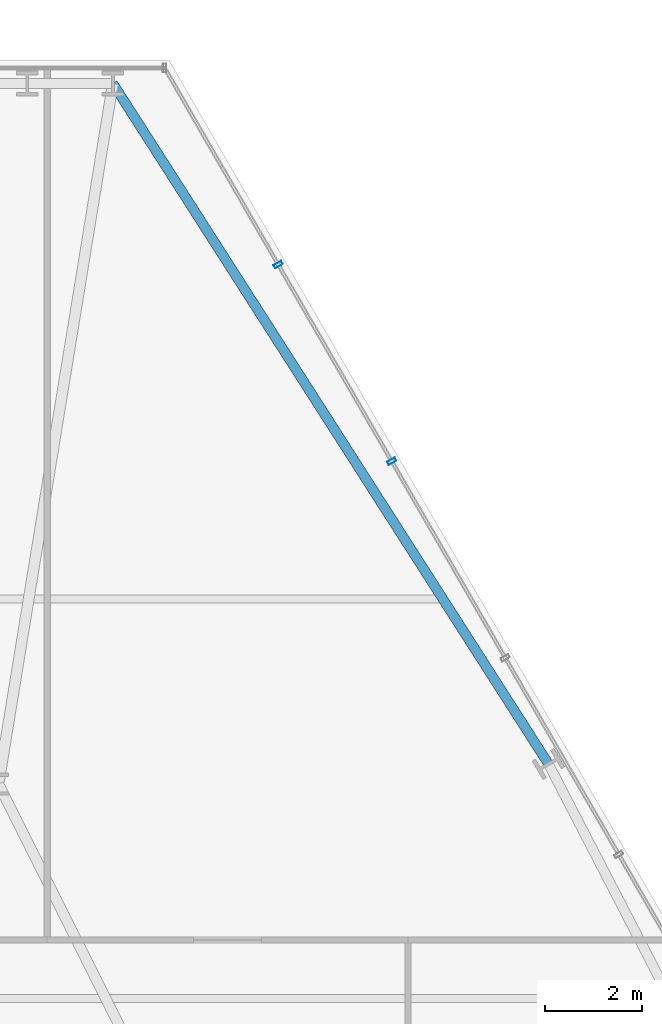
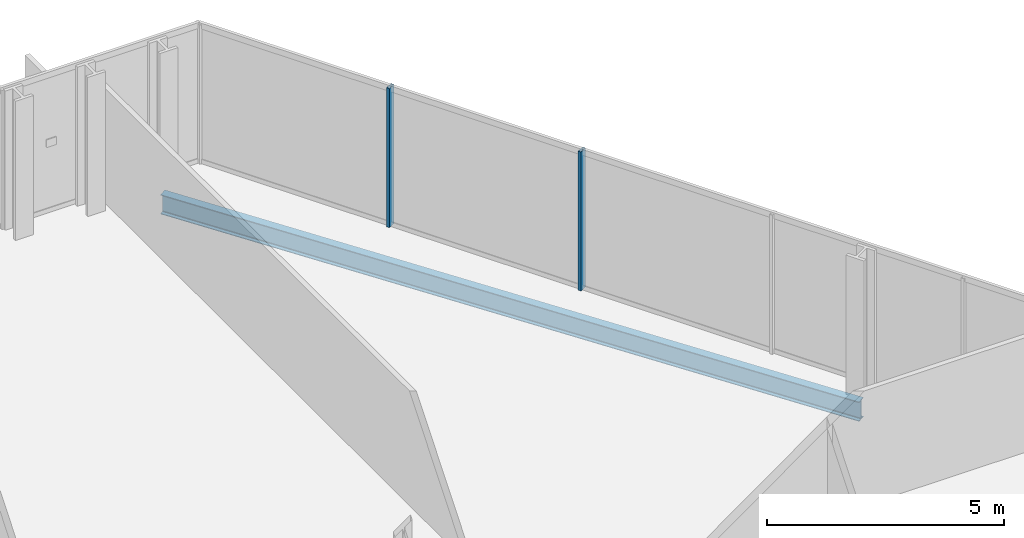
# One storey, part 25 of 33: 2 members, 1 beam, 1 element without a shape of its own.
"""IFC4 building model written with IfcOpenShell, lengths in metres."""

import ifcopenshell
import ifcopenshell.guid

model = None  # the IFC model being written
_history = None  # IfcOwnerHistory: only IFC2X3 demands one
_inside = {}  # id of a spatial element -> (the spatial element, [elements in it])
_under = {}  # id of a project, library or spatial element -> (it, [spatial elements below it])
_declared = {}  # id of a project -> (the project, [libraries it declares])
_typed = {}  # id of a type object -> (the type object, [elements of that type])
_made_of = {}  # id of a material, layer set ... -> (it, [elements and type objects made of it])


def new_model(schema):
    """Start an empty IFC model of exactly this schema.

    Asked for "IFC4X3", IfcOpenShell would pick the latest addendum, in which some entities
    have other attributes; the version numbers below select the first issue.
    IFC2X3 requires an IfcOwnerHistory on every rooted entity: one is made here for all.
    """
    global model, _history
    if schema == "IFC4X3":
        model = ifcopenshell.file(schema_version=(4, 3, 0, 0))
    else:
        model = ifcopenshell.file(schema=schema)
    _inside.clear()
    _under.clear()
    _declared.clear()
    _typed.clear()
    _made_of.clear()
    _history = None
    if model.schema == "IFC2X3":
        org = make("IfcOrganization", Name="unknown")
        user = make(
            "IfcPersonAndOrganization",
            ThePerson=make("IfcPerson", FamilyName="unknown"),
            TheOrganization=org,
        )
        app = make(
            "IfcApplication",
            ApplicationDeveloper=org,
            Version="unknown",
            ApplicationFullName="unknown",
            ApplicationIdentifier="unknown",
        )
        _history = make(
            "IfcOwnerHistory",
            OwningUser=user,
            OwningApplication=app,
            ChangeAction="ADDED",
            CreationDate=0,
        )
    return model


def make(cls, **values):
    """One entity of the class cls with the attributes given. An attribute that is None is left unset."""
    return model.create_entity(
        cls, **{name: value for name, value in values.items() if value is not None}
    )


def rooted(cls, **values):
    """An entity with a GlobalId (a new one), such as an element, a storey or a relation."""
    return make(cls, GlobalId=ifcopenshell.guid.new(), OwnerHistory=_history, **values)


def si_unit(unit_type, name, prefix=None):
    """IfcSIUnit, for example si_unit("LENGTHUNIT", "METRE", prefix="MILLI")."""
    return make("IfcSIUnit", UnitType=unit_type, Prefix=prefix, Name=name)


def assignment(units):
    """IfcUnitAssignment: the units of a project."""
    return None if units is None else make("IfcUnitAssignment", Units=units)


def point(xyz):
    """IfcCartesianPoint."""
    return None if xyz is None else make("IfcCartesianPoint", Coordinates=xyz)


def direction(xyz):
    """IfcDirection."""
    return None if xyz is None else make("IfcDirection", DirectionRatios=xyz)


def frame(location, z_axis=None, x_axis=None):
    """IfcAxis2Placement3D, a coordinate frame: its origin and axes. An axis left out is left unset."""
    return make(
        "IfcAxis2Placement3D",
        Location=point(location),
        Axis=direction(z_axis),
        RefDirection=direction(x_axis),
    )


def frame_2d(location, x_axis=None):
    """IfcAxis2Placement2D, a coordinate frame in the plane: its origin and x axis."""
    return make(
        "IfcAxis2Placement2D", Location=point(location), RefDirection=direction(x_axis)
    )


def origin():
    """The frame at (0, 0, 0) with its axes left unset."""
    return frame((0.0, 0.0, 0.0))


def origin_2d():
    """The frame at (0, 0) in the plane with its x axis left unset."""
    return frame_2d((0.0, 0.0))


def place(relative_to, where):
    """IfcLocalPlacement: puts the frame where relative to a parent placement (None: the world)."""
    return make(
        "IfcLocalPlacement", PlacementRelTo=relative_to, RelativePlacement=where
    )


def context(
    kind, dimensions, precision=None, world=None, true_north=None, identifier=None
):
    """IfcGeometricRepresentationContext, for example the 3D "Model" context."""
    return make(
        "IfcGeometricRepresentationContext",
        ContextIdentifier=identifier,
        ContextType=kind,
        CoordinateSpaceDimension=dimensions,
        Precision=precision,
        WorldCoordinateSystem=world,
        TrueNorth=true_north,
    )


def subcontext(parent, identifier, kind, view, scale=None):
    """IfcGeometricRepresentationSubContext, for example "Body" below "Model"."""
    return make(
        "IfcGeometricRepresentationSubContext",
        ContextIdentifier=identifier,
        ContextType=kind,
        ParentContext=parent,
        TargetScale=scale,
        TargetView=view,
    )


def project(units=None, contexts=None):
    """IfcProject with its units and contexts."""
    return rooted(
        "IfcProject",
        Name="project",
        RepresentationContexts=contexts,
        UnitsInContext=assignment(units),
    )


def spatial(cls, under=None, at=None, **own):
    """A site, building, storey or space (cls), placed at a placement, below another one or the project."""
    s = rooted(cls, ObjectPlacement=at, **own)
    if under is not None:
        _under.setdefault(under.id(), (under, []))[1].append(s)
    return s


def profile(cls, at=None, kind="AREA", **sizes):
    """A parametric profile (cls). Its sizes go by their IFC names, for example OverallWidth=200.0."""
    return make(cls, ProfileType=kind, Position=at, **sizes)


def hollow_rectangle(**sizes):
    """IfcRectangleHollowProfileDef."""
    return profile("IfcRectangleHollowProfileDef", **sizes)


def i_section(**sizes):
    """IfcIShapeProfileDef."""
    return profile("IfcIShapeProfileDef", **sizes)


def extrude(swept, where, along, depth):
    """IfcExtrudedAreaSolid: the profile swept, set in the frame where, extruded along a direction by depth."""
    return make(
        "IfcExtrudedAreaSolid",
        SweptArea=swept,
        Position=where,
        ExtrudedDirection=direction(along),
        Depth=depth,
    )


def shape(context_of_items, identifier, shape_type, items):
    """IfcShapeRepresentation: the items that make up one representation, for example the "Body"."""
    return make(
        "IfcShapeRepresentation",
        ContextOfItems=context_of_items,
        RepresentationIdentifier=identifier,
        RepresentationType=shape_type,
        Items=items,
    )


def material(Name=None, Category=None):
    """IfcMaterial."""
    return make("IfcMaterial", Name=Name, Category=Category)


def layer(
    of_material, thickness, ventilated=None, Name=None, Category=None, Priority=None
):
    """IfcMaterialLayer: one layer of a wall or slab, of a material (None: an air gap)."""
    return make(
        "IfcMaterialLayer",
        Material=of_material,
        LayerThickness=thickness,
        IsVentilated=ventilated,
        Name=Name,
        Category=Category,
        Priority=Priority,
    )


def layer_set(layers, Name=None):
    """IfcMaterialLayerSet."""
    return make("IfcMaterialLayerSet", MaterialLayers=layers, LayerSetName=Name)


def material_profile(
    of_material, cross_section, Name=None, Category=None, Priority=None
):
    """IfcMaterialProfile: a cross section and its material."""
    return make(
        "IfcMaterialProfile",
        Name=Name,
        Material=of_material,
        Profile=cross_section,
        Priority=Priority,
        Category=Category,
    )


def profile_set(profiles, Name=None, composite=None):
    """IfcMaterialProfileSet."""
    return make(
        "IfcMaterialProfileSet",
        Name=Name,
        MaterialProfiles=profiles,
        CompositeProfile=composite,
    )


def made_of(thing, what):
    """Note that an element or type object is made of a material, layer set ...; save() writes the relation."""
    if what is not None:
        _made_of.setdefault(what.id(), (what, []))[1].append(thing)
    return thing


def type_object(cls, material=None, **own):
    """A type object (cls), such as IfcWallType, which elements share."""
    return made_of(rooted(cls, **own), material)


def element(
    cls,
    number,
    at=None,
    inside=None,
    cuts=None,
    type_object=None,
    material=None,
    context=None,
    identifier="Body",
    shape_type=None,
    held_by="IfcProductDefinitionShape",
    body=None,
    shapes=None,
    **own,
):
    """One element of the class cls, such as IfcWall. Its Tag is "e" and its number.

    at: its placement. inside: the storey or other place that contains it. cuts: it is an
    opening in that element (IfcRelVoidsElement). A single representation is given by context,
    identifier, shape_type and body (its items); several are given by shapes. held_by: the class
    of the entity that holds the representations. save() writes the other relations.
    """
    e = rooted(cls, Tag="e%d" % number, ObjectPlacement=at, **own)
    if body is not None:
        shapes = [shape(context, identifier, shape_type, body)]
    if shapes is not None:
        e.Representation = make(held_by, Representations=shapes)
    if inside is not None:
        _inside.setdefault(inside.id(), (inside, []))[1].append(e)
    if cuts is not None:
        rooted(
            "IfcRelVoidsElement", RelatingBuildingElement=cuts, RelatedOpeningElement=e
        )
    if type_object is not None:
        _typed.setdefault(type_object.id(), (type_object, []))[1].append(e)
    return made_of(e, material)


def aggregate(whole, parts):
    """IfcRelAggregates: a whole, such as a stair, and the parts it consists of."""
    return rooted("IfcRelAggregates", RelatingObject=whole, RelatedObjects=parts)


def save(model, path):
    """Write the relations noted so far, then the file.

    IfcRelAggregates (storeys below a building ...), IfcRelContainedInSpatialStructure (elements
    in a storey), IfcRelDefinesByType, IfcRelAssociatesMaterial and IfcRelDeclares: one each for
    every whole, place, type object, material and project.
    """
    for whole, parts in _under.values():
        aggregate(whole, parts)
    for where, things in _inside.values():
        rooted(
            "IfcRelContainedInSpatialStructure",
            RelatedElements=things,
            RelatingStructure=where,
        )
    for kind, things in _typed.values():
        rooted("IfcRelDefinesByType", RelatedObjects=things, RelatingType=kind)
    for what, things in _made_of.values():
        rooted("IfcRelAssociatesMaterial", RelatedObjects=things, RelatingMaterial=what)
    for by, libraries in _declared.values():
        rooted("IfcRelDeclares", RelatingContext=by, RelatedDefinitions=libraries)
    model.write(path)


model = new_model("IFC4")

# Units and contexts
model_context = context("Model", 3, precision=1e-05, world=origin(), true_north=direction((0.0, 1.0)))
body_context = subcontext(model_context, "Body", "Model", "MODEL_VIEW")
ifc_project = project(units=[si_unit("LENGTHUNIT", "METRE"), si_unit("AREAUNIT", "SQUARE_METRE"), si_unit("VOLUMEUNIT", "CUBIC_METRE"), si_unit("PLANEANGLEUNIT", "RADIAN"), si_unit("MASSUNIT", "GRAM", prefix="KILO")], contexts=[model_context])

# Site, building, storey
site_placement = place(None, origin())
site = spatial("IfcSite", under=ifc_project, at=site_placement, CompositionType="ELEMENT")
building_placement = place(site_placement, origin())
building = spatial("IfcBuilding", under=site, at=building_placement, Name="Ndaravel Arena Tower", CompositionType="ELEMENT")
storey_placement = place(building_placement, frame((0.0, 0.0, 85.39990234375)))
storey = spatial("IfcBuildingStorey", under=building, at=storey_placement, Name="L19", CompositionType="ELEMENT", Elevation=85.39990234375)

# Beam
ifc_material_1 = material(Name="Steel S355", Category="steel")
ifc_material_profile_1 = material_profile(ifc_material_1, i_section(OverallWidth=0.199951171875, OverallDepth=0.5, WebThickness=0.01025390625, FlangeThickness=0.01611328125, FilletRadius=0.02099609375, at=origin_2d()), Name="IPE 500")
ifc_profile_set_1 = profile_set([ifc_material_profile_1], Name="Steel S355")
beam_type = type_object("IfcBeamType", Name="BM-SPAN-IPE500", PredefinedType="SPANDREL", material=ifc_profile_set_1)
beam_placement = place(storey_placement, frame((57.087158203125, 31.61181640625, -0.469970703125), z_axis=(-0.539178204501, 0.842191702519, 0.0), x_axis=(-0.842191702519, -0.539178204501, 0.0)))
element("IfcBeam", 1, at=beam_placement, inside=storey, type_object=beam_type, Name="L19 Perimeter Spandrel Beam SP-10", PredefinedType="SPANDREL", context=body_context, shape_type="SweptSolid", body=[
    extrude(i_section(OverallWidth=0.199951171875, OverallDepth=0.5, WebThickness=0.01025390625, FlangeThickness=0.01611328125, FilletRadius=0.02099609375, at=origin_2d()), origin(), (0.0, 0.0, 1.0), 16.58056640625),
])

# Curtain wall, members
ifc_material_2 = material(Name="Aluminium", Category="aluminium")
ifc_layer = layer(ifc_material_2, 0.179931640625)
ifc_layer_set = layer_set([ifc_layer], Name="Aluminium")
curtain_wall_type = type_object("IfcCurtainWallType", Name="CW-SYS-03", PredefinedType="NOTDEFINED", material=ifc_layer_set)
curtain_wall_placement = place(storey_placement, origin())
curtain_wall = element("IfcCurtainWall", 2, at=curtain_wall_placement, inside=storey, type_object=curtain_wall_type, Name="L19 Faceted Crystal Curtain Wall CW-L19-E03", PredefinedType="NOTDEFINED")
ifc_material_3 = material(Name="Aluminium", Category="aluminium")
ifc_material_profile_2 = material_profile(ifc_material_3, hollow_rectangle(XDim=0.074951171875, YDim=0.179931640625, WallThickness=0.00390625, at=origin_2d()), Name="CW MULLION 75x180x4")
ifc_profile_set_2 = profile_set([ifc_material_profile_2], Name="Aluminium")
member_type = type_object("IfcMemberType", Name="MEM-CW-MUL180", PredefinedType="MULLION", material=ifc_profile_set_2)
member_1_placement = place(storey_placement, frame((53.86962890625, 37.824951171875, 0.0), z_axis=(0.0, 0.0, 1.0), x_axis=(-0.5, 0.866025403784, 0.0)))
member_1 = element("IfcMember", 3, at=member_1_placement, type_object=member_type, Name="CW-L19-E03 Mullion 05", PredefinedType="MULLION", context=body_context, shape_type="SweptSolid", body=[
    extrude(hollow_rectangle(XDim=0.074951171875, YDim=0.179931640625, WallThickness=0.00390625, at=origin_2d()), origin(), (0.0, 0.0, 1.0), 3.580078125),
])
member_2_placement = place(storey_placement, frame((51.539794921875, 41.860595703125, 0.0), z_axis=(0.0, 0.0, 1.0), x_axis=(-0.5, 0.866025403784, 0.0)))
member_2 = element("IfcMember", 4, at=member_2_placement, type_object=member_type, Name="CW-L19-E03 Mullion 06", PredefinedType="MULLION", context=body_context, shape_type="SweptSolid", body=[
    extrude(hollow_rectangle(XDim=0.074951171875, YDim=0.179931640625, WallThickness=0.00390625, at=origin_2d()), origin(), (0.0, 0.0, 1.0), 3.580078125),
])
aggregate(curtain_wall, [member_1, member_2])

save(model, "model.ifc")
